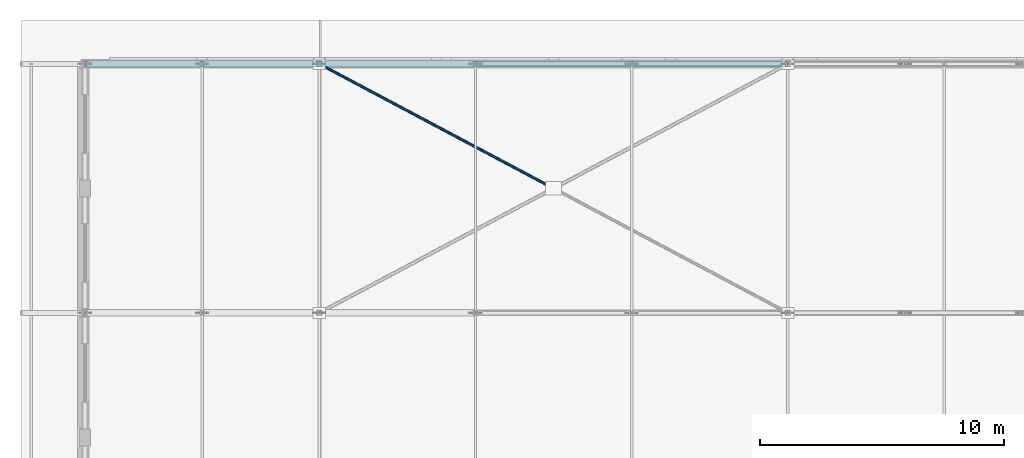
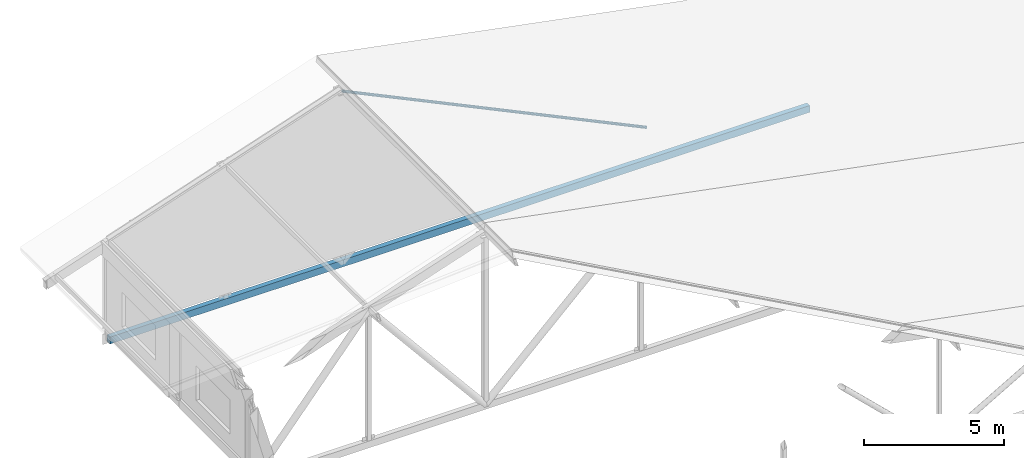
# One storey, part 73 of 200: 2 members.
"""IFC4 building model written with IfcOpenShell, lengths in metres."""

from ifc_helpers import new_model, si_unit, direction, frame, origin, origin_2d, place, context, subcontext, project, spatial, hollow_rectangle, hollow_circle, extrude, material, material_profile, profile_set, type_object, element, save


model = new_model("IFC4")

# Units and contexts
model_context = context("Model", 3, precision=1e-05, world=origin(), true_north=direction((0.0, 1.0)))
body_context = subcontext(model_context, "Body", "Model", "MODEL_VIEW")
ifc_project = project(units=[si_unit("LENGTHUNIT", "METRE"), si_unit("AREAUNIT", "SQUARE_METRE"), si_unit("VOLUMEUNIT", "CUBIC_METRE"), si_unit("PLANEANGLEUNIT", "RADIAN"), si_unit("MASSUNIT", "GRAM", prefix="KILO")], contexts=[model_context])

# Site, building, storey
site_placement = place(None, origin())
site = spatial("IfcSite", under=ifc_project, at=site_placement, CompositionType="ELEMENT")
building_placement = place(site_placement, origin())
building = spatial("IfcBuilding", under=site, at=building_placement, Name="Vondelvale Polytechnic", CompositionType="ELEMENT")
storey_placement = place(building_placement, frame((0.0, 0.0, 13.800048828125)))
storey = spatial("IfcBuildingStorey", under=building, at=storey_placement, Name="L03", CompositionType="ELEMENT", Elevation=13.800048828125)

# Members
ifc_material = material(Name="Steel C350L0 (fy = 350 MPa)", Category="steel")
ifc_material_profile_1 = material_profile(ifc_material, hollow_circle(Radius=0.05712890625, WallThickness=0.0048828125, at=origin_2d()), Name="114.3x4.8CHS")
ifc_profile_set_1 = profile_set([ifc_material_profile_1], Name="Steel C350L0 (fy = 350 MPa)")
member_type_1 = type_object("IfcMemberType", Name="ROOF BRACE 114CHS", PredefinedType="BRACE", material=ifc_profile_set_1)
member_1_placement = place(storey_placement, frame((19.199951171875, 117.300048828125, 5.169921875), z_axis=(-0.870599188587, 0.462499591831, 0.167783134994), x_axis=(-0.46915029964, -0.883118336548, 0.0)))
element("IfcMember", 1, at=member_1_placement, inside=storey, type_object=member_type_1, Name="Workshop split roof wind brace 7B2", PredefinedType="BRACE", context=body_context, shape_type="SweptSolid", body=[
    extrude(hollow_circle(Radius=0.05712890625, WallThickness=0.0048828125, at=origin_2d()), origin(), (0.0, 0.0, 1.0), 11.026611328125),
])
ifc_material_profile_2 = material_profile(ifc_material, hollow_rectangle(XDim=0.199951171875, YDim=0.300048828125, WallThickness=0.008056640625, at=origin_2d()), Name="300x200x8.0RHS")
ifc_profile_set_2 = profile_set([ifc_material_profile_2], Name="Steel C350L0 (fy = 350 MPa)")
member_type_2 = type_object("IfcMemberType", Name="ROOF TRUSS BOT CHORD 300RHS", PredefinedType="CHORD", material=ifc_profile_set_2)
member_2_placement = place(storey_placement, frame((0.0, 122.39990234375, -0.420166015625), z_axis=(1.0, 0.0, 0.0), x_axis=(0.0, 1.0, 0.0)))
element("IfcMember", 2, at=member_2_placement, inside=storey, type_object=member_type_2, Name="ROOF TRUSS TR-08 bottom chord 1", PredefinedType="CHORD", context=body_context, shape_type="SweptSolid", body=[
    extrude(hollow_rectangle(XDim=0.199951171875, YDim=0.300048828125, WallThickness=0.008056640625, at=origin_2d()), origin(), (0.0, 0.0, 1.0), 28.800048828125),
])

save(model, "model.ifc")
